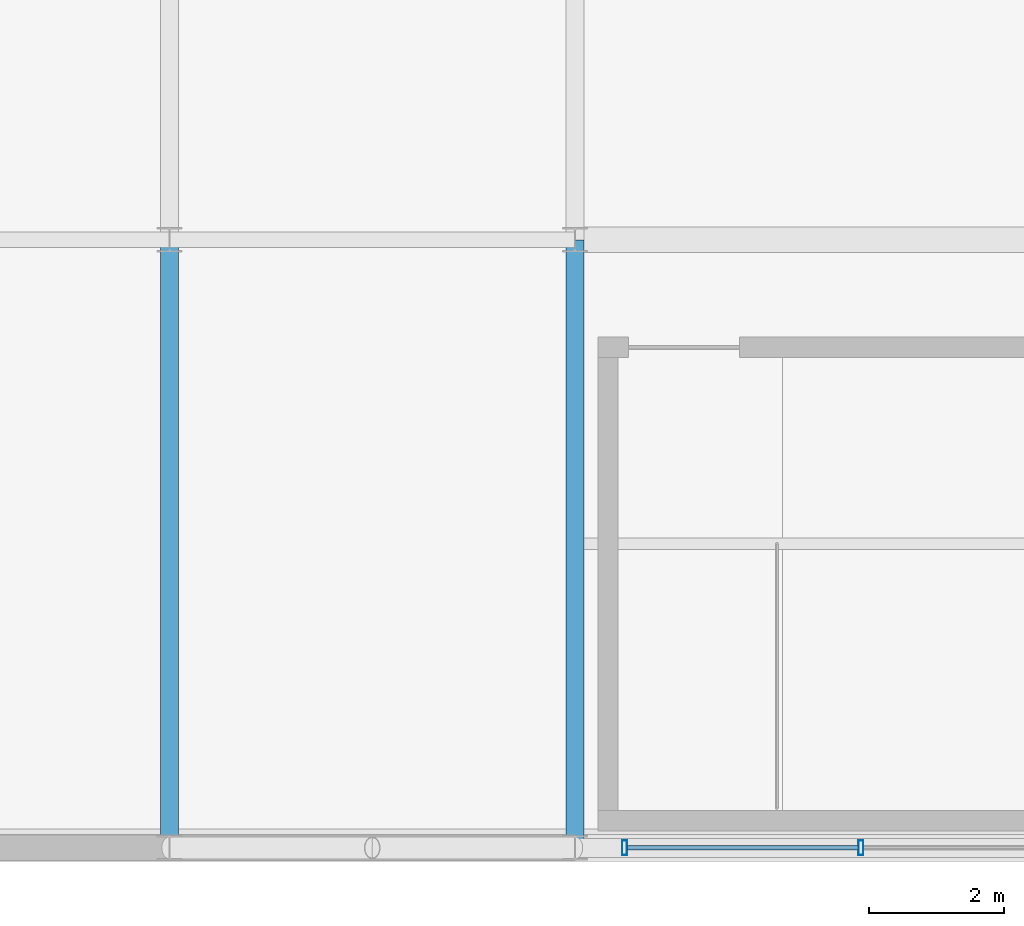
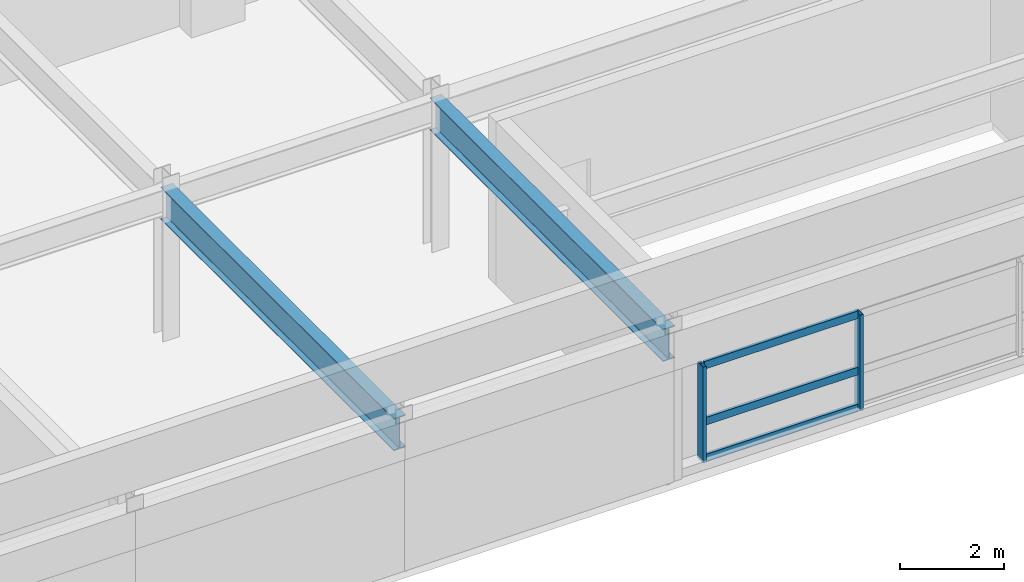
# One storey, part 33 of 108: 5 members, 2 beams, 1 element without a shape of its own.
"""IFC4 building model written with IfcOpenShell, lengths in metres."""

from ifc_helpers import new_model, si_unit, direction, frame, origin, origin_2d, place, context, subcontext, project, spatial, hollow_rectangle, i_section, extrude, material, material_profile, profile_set, type_object, element, aggregate, save


model = new_model("IFC4")

# Units and contexts
model_context = context("Model", 3, precision=1e-05, world=origin(), true_north=direction((0.0, 1.0)))
body_context = subcontext(model_context, "Body", "Model", "MODEL_VIEW")
ifc_project = project(units=[si_unit("LENGTHUNIT", "METRE"), si_unit("AREAUNIT", "SQUARE_METRE"), si_unit("VOLUMEUNIT", "CUBIC_METRE"), si_unit("PLANEANGLEUNIT", "RADIAN"), si_unit("MASSUNIT", "GRAM", prefix="KILO")], contexts=[model_context])

# Site, building, storey
site_placement = place(None, origin())
site = spatial("IfcSite", under=ifc_project, at=site_placement, CompositionType="ELEMENT")
building_placement = place(site_placement, origin())
building = spatial("IfcBuilding", under=site, at=building_placement, Name="Kaldorvane Square Convention Centre", CompositionType="ELEMENT")
storey_placement = place(building_placement, frame((0.0, 0.0, 23.399993896484375)))
storey = spatial("IfcBuildingStorey", under=building, at=storey_placement, Name="L04", CompositionType="ELEMENT", Elevation=23.399993896484375)

# Beams
ifc_material_1 = material(Name="Steel ASTM A992 Gr. 50", Category="steel")
ifc_material_profile_1 = material_profile(ifc_material_1, i_section(OverallWidth=0.2666015625, OverallDepth=0.762298583984375, WebThickness=0.014404296875, FlangeThickness=0.0216064453125, FilletRadius=0.0164947509765625, at=origin_2d()), Name="W30X116")
ifc_profile_set_1 = profile_set([ifc_material_profile_1], Name="Steel ASTM A992 Gr. 50")
beam_type = type_object("IfcBeamType", Name="BM-GR-W30X116", PredefinedType="BEAM", material=ifc_profile_set_1)
for number, where, z_axis, x_axis, name in (
    (1, (96.0, 0.0, 3.144805908203125), (0.0, 1.0, 0.0), (-1.0, 0.0, 0.0), "Transverse Girder (L04)"),
    (2, (102.0, 0.0, 3.144805908203125), (0.0, 1.0, 0.0), (-1.0, 0.0, 0.0), "Transverse Girder (L04)"),
):
    element("IfcBeam", number, at=place(storey_placement, frame(where, z_axis=z_axis, x_axis=x_axis)), inside=storey, type_object=beam_type, Name=name, PredefinedType="BEAM", context=body_context, shape_type="SweptSolid", body=[
        extrude(i_section(OverallWidth=0.2666015625, OverallDepth=0.762298583984375, WebThickness=0.014404296875, FlangeThickness=0.0216064453125, FilletRadius=0.0164947509765625, at=origin_2d()), origin(), (0.0, 0.0, 1.0), 9.0),
    ])

# Curtain wall, members
ifc_material_2 = material(Name="Anodized Aluminum and Low-E Insulated Glazing", Category="aluminium")
curtain_wall_type = type_object("IfcCurtainWallType", Name="CW-UNI-P42-12", PredefinedType="USERDEFINED", material=ifc_material_2)
curtain_wall_placement = place(storey_placement, origin())
curtain_wall = element("IfcCurtainWall", 3, at=curtain_wall_placement, inside=storey, type_object=curtain_wall_type, Name="Curtain Wall CW-05 (L04)", ObjectType="UNITISED GLAZING", PredefinedType="USERDEFINED")
ifc_material_profile_2 = material_profile(ifc_material_2, hollow_rectangle(XDim=0.0749969482421875, YDim=0.220001220703125, WallThickness=0.003997802734375, at=origin_2d()), Name="CWM-220X75")
ifc_profile_set_2 = profile_set([ifc_material_profile_2], Name="Anodized Aluminum and Low-E Insulated Glazing")
member_type_1 = type_object("IfcMemberType", Name="CW-MUL-220", PredefinedType="MULLION", material=ifc_profile_set_2)
member_1_placement = place(storey_placement, frame((102.73750305175781, 0.0, 0.1500091552734375), z_axis=(0.0, 0.0, 1.0), x_axis=(1.0, 0.0, 0.0)))
member_1 = element("IfcMember", 4, at=member_1_placement, type_object=member_type_1, Name="CW-05 mullion 1", PredefinedType="MULLION", context=body_context, shape_type="SweptSolid", body=[
    extrude(hollow_rectangle(XDim=0.0749969482421875, YDim=0.220001220703125, WallThickness=0.003997802734375, at=origin_2d()), origin(), (0.0, 0.0, 1.0), 2.2599945068359375),
])
member_2_placement = place(storey_placement, frame((106.23333740234375, 0.0, 0.1500091552734375), z_axis=(0.0, 0.0, 1.0), x_axis=(1.0, 0.0, 0.0)))
member_2 = element("IfcMember", 5, at=member_2_placement, type_object=member_type_1, Name="CW-05 mullion 2", PredefinedType="MULLION", context=body_context, shape_type="SweptSolid", body=[
    extrude(hollow_rectangle(XDim=0.0749969482421875, YDim=0.220001220703125, WallThickness=0.003997802734375, at=origin_2d()), origin(), (0.0, 0.0, 1.0), 2.2599945068359375),
])
ifc_material_profile_3 = material_profile(ifc_material_2, hollow_rectangle(XDim=0.06500244140625, YDim=0.17999267578125, WallThickness=0.0034942626953125, at=origin_2d()), Name="CWT-180X65")
ifc_profile_set_3 = profile_set([ifc_material_profile_3], Name="Anodized Aluminum and Low-E Insulated Glazing")
member_type_2 = type_object("IfcMemberType", Name="CW-TRN-180", PredefinedType="USERDEFINED", material=ifc_profile_set_3)
member_3_placement = place(storey_placement, frame((102.77499389648438, 0.0, 0.1825103759765625), z_axis=(1.0, 0.0, 0.0), x_axis=(0.0, 1.0, 0.0)))
member_3 = element("IfcMember", 6, at=member_3_placement, type_object=member_type_2, Name="CW-05 transom 1.1", ObjectType="TRANSOM", PredefinedType="USERDEFINED", context=body_context, shape_type="SweptSolid", body=[
    extrude(hollow_rectangle(XDim=0.06500244140625, YDim=0.17999267578125, WallThickness=0.0034942626953125, at=origin_2d()), origin(), (0.0, 0.0, 1.0), 3.42083740234375),
])
member_4_placement = place(storey_placement, frame((102.77499389648438, 0.0, 1.0500030517578125), z_axis=(1.0, 0.0, 0.0), x_axis=(0.0, 1.0, 0.0)))
member_4 = element("IfcMember", 7, at=member_4_placement, type_object=member_type_2, Name="CW-05 transom 1.2", ObjectType="TRANSOM", PredefinedType="USERDEFINED", context=body_context, shape_type="SweptSolid", body=[
    extrude(hollow_rectangle(XDim=0.06500244140625, YDim=0.17999267578125, WallThickness=0.0034942626953125, at=origin_2d()), origin(), (0.0, 0.0, 1.0), 3.42083740234375),
])
member_5_placement = place(storey_placement, frame((102.77499389648438, 0.0, 2.37750244140625), z_axis=(1.0, 0.0, 0.0), x_axis=(0.0, 1.0, 0.0)))
member_5 = element("IfcMember", 8, at=member_5_placement, type_object=member_type_2, Name="CW-05 transom 1.3", ObjectType="TRANSOM", PredefinedType="USERDEFINED", context=body_context, shape_type="SweptSolid", body=[
    extrude(hollow_rectangle(XDim=0.06500244140625, YDim=0.17999267578125, WallThickness=0.0034942626953125, at=origin_2d()), origin(), (0.0, 0.0, 1.0), 3.42083740234375),
])
aggregate(curtain_wall, [member_1, member_2, member_3, member_4, member_5])

save(model, "model.ifc")
